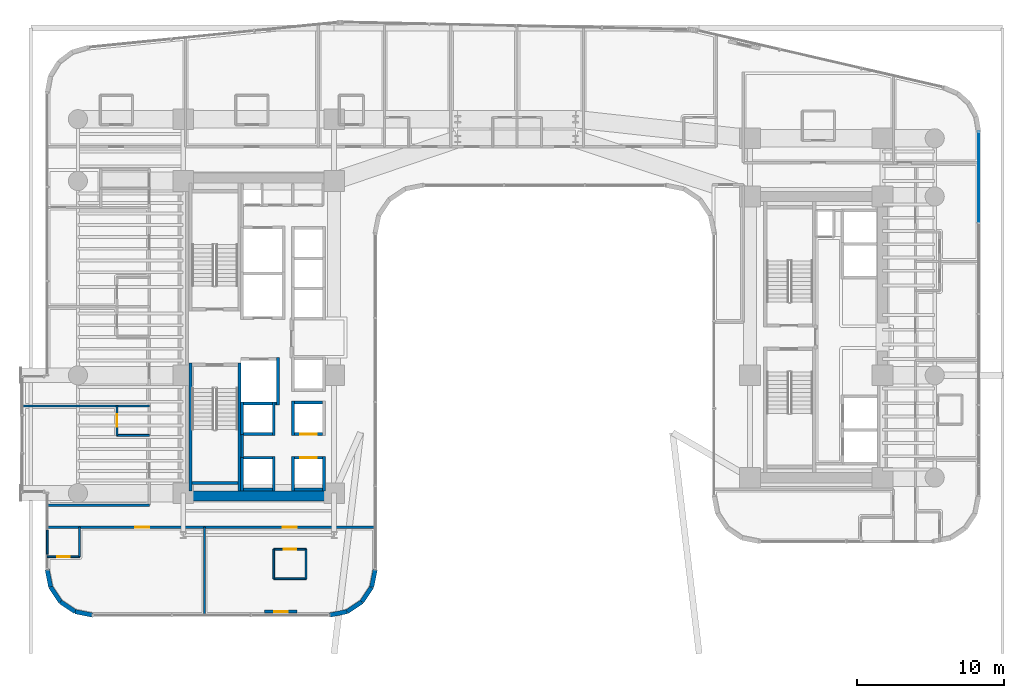
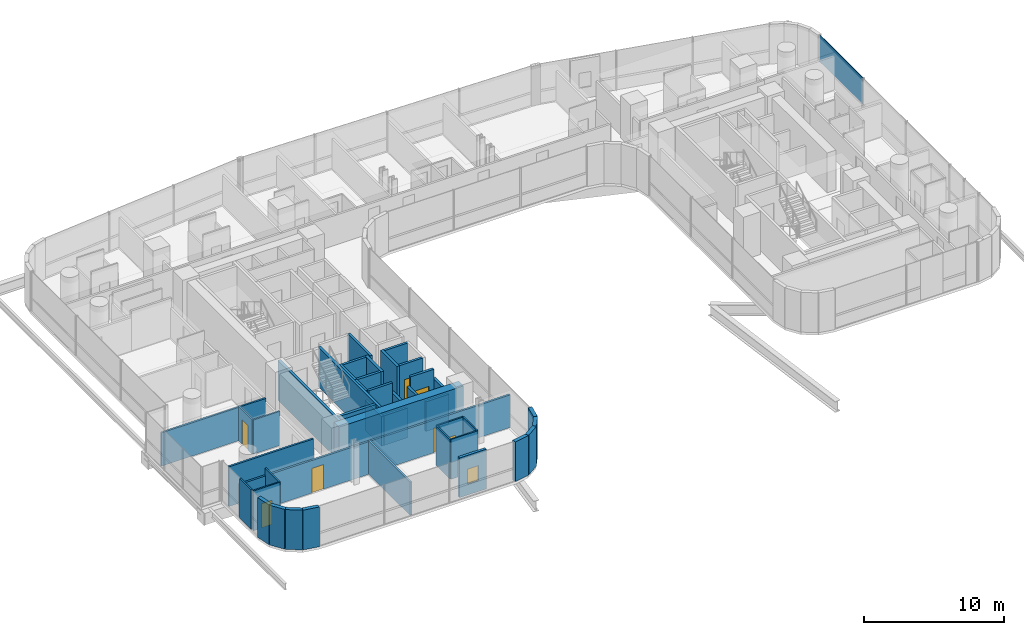
# One storey, part 38 of 50: 43 walls, 7 doors, 1 plate, 1 window, 8 openings, 1 element without a shape of its own.
"""IFC4 building model written with IfcOpenShell, lengths in metres."""

from ifc_helpers import new_model, si_unit, direction, frame, frame_2d, origin, origin_2d, place, context, subcontext, project, spatial, rectangle, extrude, source, transform, mapped, material, layer, layer_set, type_object, element, fill, aggregate, save


model = new_model("IFC4")

# Units and contexts
model_context = context("Model", 3, precision=1e-05, world=origin(), true_north=direction((0.0, 1.0)))
body_context = subcontext(model_context, "Body", "Model", "MODEL_VIEW")
ifc_project = project(units=[si_unit("LENGTHUNIT", "METRE"), si_unit("AREAUNIT", "SQUARE_METRE"), si_unit("VOLUMEUNIT", "CUBIC_METRE"), si_unit("PLANEANGLEUNIT", "RADIAN"), si_unit("MASSUNIT", "GRAM", prefix="KILO")], contexts=[model_context])

# Site, building, storey
site_placement = place(None, origin())
site = spatial("IfcSite", under=ifc_project, at=site_placement, CompositionType="ELEMENT")
building_placement = place(site_placement, origin())
building = spatial("IfcBuilding", under=site, at=building_placement, Name="Valdorenza Pilgrim Sanctuary Tower", CompositionType="ELEMENT")
storey_placement = place(building_placement, frame((0.0, 0.0, 26.0)))
storey = spatial("IfcBuildingStorey", under=building, at=storey_placement, Name="L05", CompositionType="ELEMENT", Elevation=26.0)

# Curtain wall, plate
ifc_material_1 = material(Name="Curtain-wall IGU glazing", Category="glass")
curtain_wall_type = type_object("IfcCurtainWallType", Name="CW-SYS-03", PredefinedType="NOTDEFINED", material=ifc_material_1)
curtain_wall_placement = place(storey_placement, origin())
curtain_wall = element("IfcCurtainWall", 1, at=curtain_wall_placement, inside=storey, type_object=curtain_wall_type, Name="L05 Curtain Wall CW-L05-1-21", PredefinedType="NOTDEFINED")
ifc_material_2 = material(Name="Ceramic-fritted low-E IGU glazing", Category="glass")
ifc_layer_1 = layer(ifc_material_2, 0.035888671875, Name="Ceramic-fritted low-E IGU glazing")
ifc_layer_set_1 = layer_set([ifc_layer_1], Name="Ceramic-fritted low-E IGU glazing")
plate_type = type_object("IfcPlateType", Name="CW-GLZ-IGU", PredefinedType="USERDEFINED", material=ifc_layer_set_1)
shared_shape = source(origin(), body_context, "Body", "SweptSolid", [
    extrude(rectangle(XDim=6.16357421875, YDim=0.050048828125, at=origin_2d()), origin(), (0.0, 0.0, 1.0), 2.320068359375),
])
plate_placement = place(storey_placement, frame((31.389892578125, 10.853271484375, 1.1298828125), z_axis=(0.0, 0.0, 1.0), x_axis=(0.0, -1.0, 0.0)))
plate = element("IfcPlate", 2, at=plate_placement, type_object=plate_type, Name="CW-L05-1-21 Facade Panel 1", ObjectType="GLAZING", PredefinedType="USERDEFINED", context=body_context, shape_type="MappedRepresentation", body=[
    mapped(shared_shape, transform((0.0, 0.0, 0.0), x_axis=(1.0, 0.0, 0.0), y_axis=(0.0, 1.0, 0.0), z_axis=(0.0, 0.0, 1.0), scale=1.0)),
])
aggregate(curtain_wall, [plate])

# Wall
ifc_material_3 = material(Name="Acoustic twin-stud gypsum partition", Category="gypsum")
ifc_layer_2 = layer(ifc_material_3, 0.159912109375, Name="Acoustic twin-stud gypsum partition")
ifc_layer_set_2 = layer_set([ifc_layer_2], Name="Acoustic twin-stud gypsum partition")
wall_type_1 = type_object("IfcWallType", Name="WAL-COR-160", PredefinedType="PARTITIONING", material=ifc_layer_set_2)
wall_1_placement = place(storey_placement, frame((-18.64990234375, -8.179931640625, 0.0), z_axis=(0.0, 0.0, 1.0), x_axis=(0.0, 1.0, 0.0)))
element("IfcWall", 3, at=wall_1_placement, inside=storey, type_object=wall_type_1, Name="L05 Core A South Lift Hall West Wall", PredefinedType="PARTITIONING", context=body_context, shape_type="SweptSolid", body=[
    extrude(rectangle(XDim=1.559814453125, YDim=0.159912109375, at=frame_2d((0.77978515625, 0.0))), origin(), (0.0, 0.0, 1.0), 3.4599609375),
])

# Wall, openings, doors
wall_2_placement = place(storey_placement, frame((-31.889892578125, -12.919921875, 0.0), z_axis=(0.0, 0.0, 1.0), x_axis=(1.0, 0.0, 0.0)))
wall_2 = element("IfcWall", 4, at=wall_2_placement, inside=storey, type_object=wall_type_1, Name="L05 South Wing Corridor Wall", PredefinedType="PARTITIONING", context=body_context, shape_type="SweptSolid", body=[
    extrude(rectangle(XDim=22.27978515625, YDim=0.159912109375, at=frame_2d((11.139892578125, 0.0))), origin(), (0.0, 0.0, 1.0), 2.833984375),
])
opening_1_placement = place(wall_2_placement, frame((5.969970703125, 0.0, 0.0)))
opening_1 = element("IfcOpeningElement", 5, at=opening_1_placement, cuts=wall_2, Name="Opening DR-UN1", PredefinedType="OPENING", context=body_context, shape_type="SweptSolid", body=[
    extrude(rectangle(XDim=0.949951171875, YDim=2.14990234375, at=frame_2d((0.47509765625, 1.074951171875))), frame((0.0, 0.0947265625, 0.0), z_axis=(0.0, -1.0, 0.0), x_axis=(1.0, 0.0, 0.0)), (0.0, 0.0, 1.0), 0.189697265625),
])
opening_2_placement = place(wall_2_placement, frame((16.010009765625, 0.0, 0.0)))
opening_2 = element("IfcOpeningElement", 6, at=opening_2_placement, cuts=wall_2, Name="Opening DR-UN1", PredefinedType="OPENING", context=body_context, shape_type="SweptSolid", body=[
    extrude(rectangle(XDim=0.949951171875, YDim=2.14990234375, at=frame_2d((0.47509765625, 1.074951171875))), frame((0.0, 0.0947265625, 0.0), z_axis=(0.0, -1.0, 0.0), x_axis=(1.0, 0.0, 0.0)), (0.0, 0.0, 1.0), 0.189697265625),
])
ifc_material_4 = material(Name="Solid-core European oak timber", Category="wood")
door_type_1 = type_object("IfcDoorType", Name="DR-UNIT-950", OperationType="NOTDEFINED", PredefinedType="DOOR", material=ifc_material_4)
door_1_placement = place(opening_1_placement, frame((0.949951171875, 0.0, 0.0), z_axis=(0.0, 0.0, 1.0), x_axis=(-1.0, 0.0, 0.0)))
door_1 = element("IfcDoor", 7, at=door_1_placement, inside=storey, type_object=door_type_1, Name="L05 South Guest Room L05-S1 Entrance Door", OperationType="SINGLE_SWING_LEFT", OverallHeight=2.14990234375, OverallWidth=0.949951171875, PredefinedType="DOOR", context=body_context, shape_type="SweptSolid", body=[
    extrude(rectangle(XDim=0.949951171875, YDim=2.14990234375, at=frame_2d((0.47509765625, 1.074951171875))), frame((0.0, 0.02490234375, 0.0), z_axis=(0.0, -1.0, 0.0), x_axis=(1.0, 0.0, 0.0)), (0.0, 0.0, 1.0), 0.050048828125),
])
fill(opening_1, door_1)
door_2_placement = place(opening_2_placement, frame((0.949951171875, 0.0, 0.0), z_axis=(0.0, 0.0, 1.0), x_axis=(-1.0, 0.0, 0.0)))
door_2 = element("IfcDoor", 8, at=door_2_placement, inside=storey, type_object=door_type_1, Name="L05 South Guest Room L05-S2 Entrance Door", OperationType="SINGLE_SWING_LEFT", OverallHeight=2.14990234375, OverallWidth=0.949951171875, PredefinedType="DOOR", context=body_context, shape_type="SweptSolid", body=[
    extrude(rectangle(XDim=0.949951171875, YDim=2.14990234375, at=frame_2d((0.47509765625, 1.074951171875))), frame((0.0, 0.02490234375, 0.0), z_axis=(0.0, -1.0, 0.0), x_axis=(1.0, 0.0, 0.0)), (0.0, 0.0, 1.0), 0.050048828125),
])
fill(opening_2, door_2)

# Walls
wall_3_placement = place(storey_placement, frame((-31.889892578125, -11.419921875, 0.0), z_axis=(0.0, 0.0, 1.0), x_axis=(1.0, 0.0, 0.0)))
element("IfcWall", 9, at=wall_3_placement, inside=storey, type_object=wall_type_1, Name="L05 South-West Corridor North Wall", PredefinedType="PARTITIONING", context=body_context, shape_type="SweptSolid", body=[
    extrude(rectangle(XDim=6.93994140625, YDim=0.159912109375, at=frame_2d((3.469970703125, 0.0))), origin(), (0.0, 0.0, 1.0), 3.4599609375),
])
ifc_material_5 = material(Name="Concrete C60/75", Category="concrete")
ifc_layer_3 = layer(ifc_material_5, 0.699951171875, Name="Concrete C60/75")
ifc_layer_set_3 = layer_set([ifc_layer_3], Name="Concrete C60/75")
wall_type_2 = type_object("IfcWallType", Name="WAL-COR-700", PredefinedType="SHEAR", material=ifc_layer_set_3)
wall_4_placement = place(storey_placement, frame((-22.64990234375, -10.800048828125, 0.0), z_axis=(0.0, 0.0, 1.0), x_axis=(1.0, 0.0, 0.0)))
element("IfcWall", 10, at=wall_4_placement, inside=storey, type_object=wall_type_2, Name="L05 Split Core A Shear Wall S", PredefinedType="SHEAR", context=body_context, shape_type="SweptSolid", body=[
    extrude(rectangle(XDim=10.25, YDim=0.699951171875, at=frame_2d((5.125, 0.0))), origin(), (0.0, 0.0, 1.0), 3.4599609375),
])
ifc_material_6 = material(Name="Honed travertine limestone", Category="masonry")
ifc_layer_4 = layer(ifc_material_6, 0.300048828125, Name="Honed travertine limestone")
ifc_layer_set_4 = layer_set([ifc_layer_4], Name="Honed travertine limestone")
wall_type_3 = type_object("IfcWallType", Name="WAL-EXT-300", PredefinedType="SOLIDWALL", material=ifc_layer_set_4)
wall_5_placement = place(storey_placement, frame((-9.610107421875, -15.789306640625, 0.0), z_axis=(0.0, 0.0, 1.0), x_axis=(-0.194996050505, -0.980804027463, 0.0)))
element("IfcWall", 11, at=wall_5_placement, inside=storey, type_object=wall_type_3, Name="L05 Rounded Wind-Corner Stone Pier 42", PredefinedType="SOLIDWALL", context=body_context, shape_type="SweptSolid", body=[
    extrude(rectangle(XDim=1.2158203125, YDim=0.300048828125, at=frame_2d((0.60791015625, 0.0))), origin(), (0.0, 0.0, 1.0), 3.4599609375),
])
for number, where, z_axis, x_axis, name in (
    (12, (-9.84716796875, -16.981689453125, 0.0), (0.0, 0.0, 1.0), (-0.555635100982, -0.831426265255, 0.0), "L05 Rounded Wind-Corner Stone Pier 43"),
    (13, (-10.5166015625, -17.9833984375, 0.0), (0.0, 0.0, 1.0), (-0.831426265255, -0.555635100982, 0.0), "L05 Rounded Wind-Corner Stone Pier 44"),
):
    element("IfcWall", number, at=place(storey_placement, frame(where, z_axis=z_axis, x_axis=x_axis)), inside=storey, type_object=wall_type_3, Name=name, PredefinedType="SOLIDWALL", context=body_context, shape_type="SweptSolid", body=[
        extrude(rectangle(XDim=1.204833984375, YDim=0.300048828125, at=frame_2d((0.6025390625, 0.0))), origin(), (0.0, 0.0, 1.0), 3.4599609375),
    ])
wall_6_placement = place(storey_placement, frame((-11.518310546875, -18.65283203125, 0.0), z_axis=(0.0, 0.0, 1.0), x_axis=(-0.980804027463, -0.194996050505, 0.0)))
element("IfcWall", 14, at=wall_6_placement, inside=storey, type_object=wall_type_3, Name="L05 Rounded Wind-Corner Stone Pier 45", PredefinedType="SOLIDWALL", context=body_context, shape_type="SweptSolid", body=[
    extrude(rectangle(XDim=1.2158203125, YDim=0.300048828125, at=frame_2d((0.60791015625, 0.0))), origin(), (0.0, 0.0, 1.0), 3.4599609375),
])

# Wall, opening, window
wall_7_placement = place(storey_placement, frame((-14.910888671875, -18.64990234375, 0.0), z_axis=(0.0, 0.0, 1.0), x_axis=(-1.0, 0.0, 0.0)))
wall_7 = element("IfcWall", 15, at=wall_7_placement, inside=storey, type_object=wall_type_3, Name="L05 Operable Ventilation Sash Jamb Pier", PredefinedType="SOLIDWALL", context=body_context, shape_type="SweptSolid", body=[
    extrude(rectangle(XDim=2.199951171875, YDim=0.219970703125, at=frame_2d((1.10009765625, 0.0))), origin(), (0.0, 0.0, 1.0), 3.4599609375),
])
opening_3_placement = place(wall_7_placement, frame((0.64990234375, 0.0, 0.949951171875)))
opening_3 = element("IfcOpeningElement", 16, at=opening_3_placement, cuts=wall_7, Name="Opening WN-OP1", PredefinedType="OPENING", context=body_context, shape_type="SweptSolid", body=[
    extrude(rectangle(XDim=0.89990234375, YDim=1.300048828125, at=frame_2d((0.449951171875, 0.64990234375))), frame((0.0, 0.125, 0.0), z_axis=(0.0, -1.0, 0.0), x_axis=(1.0, 0.0, 0.0)), (0.0, 0.0, 1.0), 0.249755859375),
])
window_type = type_object("IfcWindowType", Name="WIN-OPN-900", PartitioningType="SINGLE_PANEL", PredefinedType="WINDOW", material=ifc_material_2)
window_placement = place(opening_3_placement, origin())
window = element("IfcWindow", 17, at=window_placement, inside=storey, type_object=window_type, Name="L05 Parallel-Pop-Out Operable Facade Panel", OverallHeight=1.300048828125, OverallWidth=0.89990234375, PartitioningType="SINGLE_PANEL", PredefinedType="WINDOW", context=body_context, shape_type="SweptSolid", body=[
    extrude(rectangle(XDim=0.89990234375, YDim=1.300048828125, at=frame_2d((0.449951171875, 0.64990234375))), frame((0.0, 0.030029296875, 0.0), z_axis=(0.0, -1.0, 0.0), x_axis=(1.0, 0.0, 0.0)), (0.0, 0.0, 1.0), 0.06005859375),
])
fill(opening_3, window)

# Walls
wall_8_placement = place(storey_placement, frame((-28.789306640625, -18.889892578125, 0.0), z_axis=(0.0, 0.0, 1.0), x_axis=(-0.980804027463, 0.194996050505, 0.0)))
element("IfcWall", 18, at=wall_8_placement, inside=storey, type_object=wall_type_3, Name="L05 Rounded Wind-Corner Stone Pier 47", PredefinedType="SOLIDWALL", context=body_context, shape_type="SweptSolid", body=[
    extrude(rectangle(XDim=1.2158203125, YDim=0.300048828125, at=frame_2d((0.60791015625, 0.0))), origin(), (0.0, 0.0, 1.0), 3.4599609375),
])
for number, where, z_axis, x_axis, name in (
    (19, (-29.981689453125, -18.65283203125, 0.0), (0.0, 0.0, 1.0), (-0.831426265255, 0.555635100982, 0.0), "L05 Rounded Wind-Corner Stone Pier 48"),
    (20, (-30.9833984375, -17.9833984375, 0.0), (0.0, 0.0, 1.0), (-0.555635100982, 0.831426265255, 0.0), "L05 Rounded Wind-Corner Stone Pier 49"),
):
    element("IfcWall", number, at=place(storey_placement, frame(where, z_axis=z_axis, x_axis=x_axis)), inside=storey, type_object=wall_type_3, Name=name, PredefinedType="SOLIDWALL", context=body_context, shape_type="SweptSolid", body=[
        extrude(rectangle(XDim=1.204833984375, YDim=0.300048828125, at=frame_2d((0.6025390625, 0.0))), origin(), (0.0, 0.0, 1.0), 3.4599609375),
    ])
wall_9_placement = place(storey_placement, frame((-31.65283203125, -16.981689453125, 0.0), z_axis=(0.0, 0.0, 1.0), x_axis=(-0.194996050505, 0.980804027463, 0.0)))
element("IfcWall", 21, at=wall_9_placement, inside=storey, type_object=wall_type_3, Name="L05 Rounded Wind-Corner Stone Pier 50", PredefinedType="SOLIDWALL", context=body_context, shape_type="SweptSolid", body=[
    extrude(rectangle(XDim=1.2158203125, YDim=0.300048828125, at=frame_2d((0.60791015625, 0.0))), origin(), (0.0, 0.0, 1.0), 3.4599609375),
])
ifc_material_7 = material(Name="Moisture-resistant gypsum partition", Category="gypsum")
ifc_layer_5 = layer(ifc_material_7, 0.1201171875, Name="Moisture-resistant gypsum partition")
ifc_layer_set_5 = layer_set([ifc_layer_5], Name="Moisture-resistant gypsum partition")
wall_type_4 = type_object("IfcWallType", Name="WAL-INT-120", PredefinedType="PARTITIONING", material=ifc_layer_set_5)
wall_10_placement = place(storey_placement, frame((-27.14990234375, -6.679931640625, 0.0), z_axis=(0.0, 0.0, 1.0), x_axis=(1.0, 0.0, 0.0)))
element("IfcWall", 22, at=wall_10_placement, inside=storey, type_object=wall_type_4, Name="L05 Pilgrim Guest Room L05-W1 En-suite South Wall", PredefinedType="PARTITIONING", context=body_context, shape_type="SweptSolid", body=[
    extrude(rectangle(XDim=2.199951171875, YDim=0.1201171875, at=frame_2d((1.10009765625, 0.0))), origin(), (0.0, 0.0, 1.0), 2.97900390625),
])

# Wall, opening, door
wall_11_placement = place(storey_placement, frame((-27.14990234375, -6.679931640625, 0.0), z_axis=(0.0, 0.0, 1.0), x_axis=(0.0, 1.0, 0.0)))
wall_11 = element("IfcWall", 23, at=wall_11_placement, inside=storey, type_object=wall_type_4, Name="L05 Pilgrim Guest Room L05-W1 En-suite Door Wall", PredefinedType="PARTITIONING", context=body_context, shape_type="SweptSolid", body=[
    extrude(rectangle(XDim=2.0, YDim=0.1201171875, at=frame_2d((1.0, 0.0))), origin(), (0.0, 0.0, 1.0), 2.97900390625),
])
opening_4_placement = place(wall_11_placement, frame((0.574951171875, 0.0, 0.0)))
opening_4 = element("IfcOpeningElement", 24, at=opening_4_placement, cuts=wall_11, Name="Opening DR-WC1", PredefinedType="OPENING", context=body_context, shape_type="SweptSolid", body=[
    extrude(rectangle(XDim=0.85009765625, YDim=2.10009765625, at=frame_2d((0.425048828125, 1.050048828125))), frame((0.0, 0.074951171875, 0.0), z_axis=(0.0, -1.0, 0.0), x_axis=(1.0, 0.0, 0.0)), (0.0, 0.0, 1.0), 0.14990234375),
])
ifc_material_8 = material(Name="Moisture-resistant lacquered timber", Category="wood")
door_type_2 = type_object("IfcDoorType", Name="DR-BATH-850", OperationType="NOTDEFINED", PredefinedType="DOOR", material=ifc_material_8)
door_3_placement = place(opening_4_placement, origin())
door_3 = element("IfcDoor", 25, at=door_3_placement, inside=storey, type_object=door_type_2, Name="L05 Pilgrim Guest Room L05-W1 En-suite Bathroom Door", OperationType="SINGLE_SWING_RIGHT", OverallHeight=2.10009765625, OverallWidth=0.85009765625, PredefinedType="DOOR", context=body_context, shape_type="SweptSolid", body=[
    extrude(rectangle(XDim=0.85009765625, YDim=2.10009765625, at=frame_2d((0.425048828125, 1.050048828125))), frame((0.0, 0.02490234375, 0.0), z_axis=(0.0, -1.0, 0.0), x_axis=(1.0, 0.0, 0.0)), (0.0, 0.0, 1.0), 0.050048828125),
])
fill(opening_4, door_3)

# Wall
wall_12_placement = place(storey_placement, frame((-29.68994140625, -14.919921875, 0.0), z_axis=(0.0, 0.0, 1.0), x_axis=(0.0, 1.0, 0.0)))
element("IfcWall", 26, at=wall_12_placement, inside=storey, type_object=wall_type_4, Name="L05 South Guest Room L05-S1 En-suite East Wall", PredefinedType="PARTITIONING", context=body_context, shape_type="SweptSolid", body=[
    extrude(rectangle(XDim=2.0, YDim=0.1201171875, at=frame_2d((1.0, 0.0))), origin(), (0.0, 0.0, 1.0), 3.4599609375),
])

# Wall, opening, door
wall_13_placement = place(storey_placement, frame((-31.889892578125, -14.919921875, 0.0), z_axis=(0.0, 0.0, 1.0), x_axis=(1.0, 0.0, 0.0)))
wall_13 = element("IfcWall", 27, at=wall_13_placement, inside=storey, type_object=wall_type_4, Name="L05 South Guest Room L05-S1 En-suite Door Wall", PredefinedType="PARTITIONING", context=body_context, shape_type="SweptSolid", body=[
    extrude(rectangle(XDim=2.199951171875, YDim=0.1201171875, at=frame_2d((1.10009765625, 0.0))), origin(), (0.0, 0.0, 1.0), 3.4599609375),
])
opening_5_placement = place(wall_13_placement, frame((0.675048828125, 0.0, 0.0)))
opening_5 = element("IfcOpeningElement", 28, at=opening_5_placement, cuts=wall_13, Name="Opening DR-WC1", PredefinedType="OPENING", context=body_context, shape_type="SweptSolid", body=[
    extrude(rectangle(XDim=0.85009765625, YDim=2.10009765625, at=frame_2d((0.425048828125, 1.050048828125))), frame((0.0, 0.074951171875, 0.0), z_axis=(0.0, -1.0, 0.0), x_axis=(1.0, 0.0, 0.0)), (0.0, 0.0, 1.0), 0.14990234375),
])
door_4_placement = place(opening_5_placement, origin())
door_4 = element("IfcDoor", 29, at=door_4_placement, inside=storey, type_object=door_type_2, Name="L05 South Guest Room L05-S1 En-suite Bathroom Door", OperationType="SINGLE_SWING_RIGHT", OverallHeight=2.10009765625, OverallWidth=0.85009765625, PredefinedType="DOOR", context=body_context, shape_type="SweptSolid", body=[
    extrude(rectangle(XDim=0.85009765625, YDim=2.10009765625, at=frame_2d((0.425048828125, 1.050048828125))), frame((0.0, 0.02490234375, 0.0), z_axis=(0.0, -1.0, 0.0), x_axis=(1.0, 0.0, 0.0)), (0.0, 0.0, 1.0), 0.050048828125),
])
fill(opening_5, door_4)

# Walls
wall_14_placement = place(storey_placement, frame((-31.889892578125, -14.739990234375, 0.0), z_axis=(0.0, 0.0, 1.0), x_axis=(0.0, 1.0, 0.0)))
element("IfcWall", 30, at=wall_14_placement, inside=storey, type_object=wall_type_4, Name="L05 SW-G1-ENS Enclosure Wall W", PredefinedType="PARTITIONING", context=body_context, shape_type="SweptSolid", body=[
    extrude(rectangle(XDim=1.619873046875, YDim=0.1201171875, at=frame_2d((0.81005859375, 0.0))), origin(), (0.0, 0.0, 1.0), 3.4599609375),
])
for number, where, z_axis, x_axis, name in (
    (31, (-16.5048828125, -16.419921875, 0.0), (0.0, 0.0, 1.0), (0.0, 1.0, 0.0), "L05 South Guest Room L05-S2 En-suite West Wall"),
    (32, (-14.304931640625, -16.419921875, 0.0), (0.0, 0.0, 1.0), (0.0, 1.0, 0.0), "L05 South Guest Room L05-S2 En-suite East Wall"),
):
    element("IfcWall", number, at=place(storey_placement, frame(where, z_axis=z_axis, x_axis=x_axis)), inside=storey, type_object=wall_type_4, Name=name, PredefinedType="PARTITIONING", context=body_context, shape_type="SweptSolid", body=[
        extrude(rectangle(XDim=2.0, YDim=0.1201171875, at=frame_2d((1.0, 0.0))), origin(), (0.0, 0.0, 1.0), 3.4599609375),
    ])
wall_15_placement = place(storey_placement, frame((-16.5048828125, -16.419921875, 0.0), z_axis=(0.0, 0.0, 1.0), x_axis=(1.0, 0.0, 0.0)))
element("IfcWall", 33, at=wall_15_placement, inside=storey, type_object=wall_type_4, Name="L05 South Guest Room L05-S2 En-suite Back Wall", PredefinedType="PARTITIONING", context=body_context, shape_type="SweptSolid", body=[
    extrude(rectangle(XDim=2.199951171875, YDim=0.1201171875, at=frame_2d((1.10009765625, 0.0))), origin(), (0.0, 0.0, 1.0), 3.4599609375),
])

# Wall, opening, door
wall_16_placement = place(storey_placement, frame((-16.5048828125, -14.419921875, 0.0), z_axis=(0.0, 0.0, 1.0), x_axis=(1.0, 0.0, 0.0)))
wall_16 = element("IfcWall", 34, at=wall_16_placement, inside=storey, type_object=wall_type_4, Name="L05 South Guest Room L05-S2 En-suite Door Wall", PredefinedType="PARTITIONING", context=body_context, shape_type="SweptSolid", body=[
    extrude(rectangle(XDim=2.199951171875, YDim=0.1201171875, at=frame_2d((1.10009765625, 0.0))), origin(), (0.0, 0.0, 1.0), 3.4599609375),
])
opening_6_placement = place(wall_16_placement, frame((0.675048828125, 0.0, 0.0)))
opening_6 = element("IfcOpeningElement", 35, at=opening_6_placement, cuts=wall_16, Name="Opening DR-WC1", PredefinedType="OPENING", context=body_context, shape_type="SweptSolid", body=[
    extrude(rectangle(XDim=0.85009765625, YDim=2.10009765625, at=frame_2d((0.425048828125, 1.050048828125))), frame((0.0, 0.074951171875, 0.0), z_axis=(0.0, -1.0, 0.0), x_axis=(1.0, 0.0, 0.0)), (0.0, 0.0, 1.0), 0.14990234375),
])
door_5_placement = place(opening_6_placement, origin())
door_5 = element("IfcDoor", 36, at=door_5_placement, inside=storey, type_object=door_type_2, Name="L05 South Guest Room L05-S2 En-suite Bathroom Door", OperationType="SINGLE_SWING_RIGHT", OverallHeight=2.10009765625, OverallWidth=0.85009765625, PredefinedType="DOOR", context=body_context, shape_type="SweptSolid", body=[
    extrude(rectangle(XDim=0.85009765625, YDim=2.10009765625, at=frame_2d((0.425048828125, 1.050048828125))), frame((0.0, 0.02490234375, 0.0), z_axis=(0.0, -1.0, 0.0), x_axis=(1.0, 0.0, 0.0)), (0.0, 0.0, 1.0), 0.050048828125),
])
fill(opening_6, door_5)

# Walls
ifc_material_9 = material(Name="Autoclaved aerated concrete blockwork", Category="masonry")
ifc_layer_6 = layer(ifc_material_9, 0.199951171875, Name="Autoclaved aerated concrete blockwork")
ifc_layer_set_6 = layer_set([ifc_layer_6], Name="Autoclaved aerated concrete blockwork")
wall_type_5 = type_object("IfcWallType", Name="WAL-SHF-200", PredefinedType="MOVABLE", material=ifc_layer_set_6)
wall_17_placement = place(storey_placement, frame((-16.199951171875, -4.60009765625, 0.0), z_axis=(0.0, 0.0, 1.0), x_axis=(0.0, 1.0, 0.0)))
element("IfcWall", 37, at=wall_17_placement, inside=storey, type_object=wall_type_5, Name="L05 Lift FFL-02 Hoistway Wall East", PredefinedType="MOVABLE", context=body_context, shape_type="SweptSolid", body=[
    extrude(rectangle(XDim=3.2001953125, YDim=0.199951171875, at=frame_2d((1.60009765625, 0.0))), origin(), (0.0, 0.0, 1.0), 3.4599609375),
])
wall_18_placement = place(storey_placement, frame((-18.719970703125, -4.5, 0.0), z_axis=(0.0, 0.0, 1.0), x_axis=(1.0, 0.0, 0.0)))
element("IfcWall", 38, at=wall_18_placement, inside=storey, type_object=wall_type_5, Name="L05 Lift FFL-02 Hoistway Wall South", PredefinedType="MOVABLE", context=body_context, shape_type="SweptSolid", body=[
    extrude(rectangle(XDim=2.419921875, YDim=0.199951171875, at=frame_2d((1.2099609375, 0.0))), origin(), (0.0, 0.0, 1.0), 3.4599609375),
])
for number, where, z_axis, x_axis, name in (
    (39, (-15.199951171875, -10.449951171875, 0.0), (0.0, 0.0, 1.0), (0.0, 1.0, 0.0), "L05 Lift PL-01 Hoistway Wall West"),
    (40, (-13.080078125, -10.449951171875, 0.0), (0.0, 0.0, 1.0), (0.0, 1.0, 0.0), "L05 Lift PL-01 Hoistway Wall East"),
):
    element("IfcWall", number, at=place(storey_placement, frame(where, z_axis=z_axis, x_axis=x_axis)), inside=storey, type_object=wall_type_5, Name=name, PredefinedType="MOVABLE", context=body_context, shape_type="SweptSolid", body=[
        extrude(rectangle(XDim=2.349853515625, YDim=0.199951171875, at=frame_2d((1.1748046875, 0.0))), origin(), (0.0, 0.0, 1.0), 2.5830078125),
    ])
wall_19_placement = place(storey_placement, frame((-15.10009765625, -10.35009765625, 0.0), z_axis=(0.0, 0.0, 1.0), x_axis=(1.0, 0.0, 0.0)))
element("IfcWall", 41, at=wall_19_placement, inside=storey, type_object=wall_type_5, Name="L05 Lift PL-01 Hoistway Wall South", PredefinedType="MOVABLE", context=body_context, shape_type="SweptSolid", body=[
    extrude(rectangle(XDim=1.920166015625, YDim=0.199951171875, at=frame_2d((0.9599609375, 0.0))), origin(), (0.0, 0.0, 1.0), 2.5830078125),
])

# Wall, opening, door
wall_20_placement = place(storey_placement, frame((-15.10009765625, -8.199951171875, 0.0), z_axis=(0.0, 0.0, 1.0), x_axis=(1.0, 0.0, 0.0)))
wall_20 = element("IfcWall", 42, at=wall_20_placement, inside=storey, type_object=wall_type_5, Name="L05 Lift PL-01 Hoistway Wall North", PredefinedType="MOVABLE", context=body_context, shape_type="SweptSolid", body=[
    extrude(rectangle(XDim=1.920166015625, YDim=0.199951171875, at=frame_2d((0.9599609375, 0.0))), origin(), (0.0, 0.0, 1.0), 3.4599609375),
])
opening_7_placement = place(wall_20_placement, frame((0.409912109375, 0.0, 0.0)))
opening_7 = element("IfcOpeningElement", 43, at=opening_7_placement, cuts=wall_20, Name="Opening LD-01", PredefinedType="OPENING", context=body_context, shape_type="SweptSolid", body=[
    extrude(rectangle(XDim=1.10009765625, YDim=2.10009765625, at=frame_2d((0.550048828125, 1.050048828125))), frame((0.0, 0.11474609375, 0.0), z_axis=(0.0, -1.0, 0.0), x_axis=(1.0, 0.0, 0.0)), (0.0, 0.0, 1.0), 0.229736328125),
])
ifc_material_10 = material(Name="Brushed stainless steel Grade 316", Category="steel")
door_type_3 = type_object("IfcDoorType", Name="DR-LFT-1100", OperationType="DOUBLE_DOOR_SLIDING", PredefinedType="DOOR", material=ifc_material_10)
door_6_placement = place(opening_7_placement, origin())
door_6 = element("IfcDoor", 44, at=door_6_placement, inside=storey, type_object=door_type_3, Name="L05 Lift PL-01 Sliding Landing Door", OperationType="DOUBLE_DOOR_SLIDING", OverallHeight=2.10009765625, OverallWidth=1.10009765625, PredefinedType="DOOR", context=body_context, shape_type="SweptSolid", body=[
    extrude(rectangle(XDim=1.10009765625, YDim=2.10009765625, at=frame_2d((0.550048828125, 1.050048828125))), frame((0.0, 0.02490234375, 0.0), z_axis=(0.0, -1.0, 0.0), x_axis=(1.0, 0.0, 0.0)), (0.0, 0.0, 1.0), 0.050048828125),
])
fill(opening_7, door_6)

# Wall
wall_21_placement = place(storey_placement, frame((-15.199951171875, -6.699951171875, 0.0), z_axis=(0.0, 0.0, 1.0), x_axis=(0.0, 1.0, 0.0)))
element("IfcWall", 45, at=wall_21_placement, inside=storey, type_object=wall_type_5, Name="L05 Lift PL-02 Hoistway Wall West", PredefinedType="MOVABLE", context=body_context, shape_type="SweptSolid", body=[
    extrude(rectangle(XDim=2.349853515625, YDim=0.199951171875, at=frame_2d((1.1748046875, 0.0))), origin(), (0.0, 0.0, 1.0), 3.4599609375),
])

# Wall, opening, door
wall_22_placement = place(storey_placement, frame((-15.10009765625, -6.60009765625, 0.0), z_axis=(0.0, 0.0, 1.0), x_axis=(1.0, 0.0, 0.0)))
wall_22 = element("IfcWall", 46, at=wall_22_placement, inside=storey, type_object=wall_type_5, Name="L05 Lift PL-02 Hoistway Wall South", PredefinedType="MOVABLE", context=body_context, shape_type="SweptSolid", body=[
    extrude(rectangle(XDim=1.920166015625, YDim=0.199951171875, at=frame_2d((0.9599609375, 0.0))), origin(), (0.0, 0.0, 1.0), 3.4599609375),
])
opening_8_placement = place(wall_22_placement, frame((0.409912109375, 0.0, 0.0)))
opening_8 = element("IfcOpeningElement", 47, at=opening_8_placement, cuts=wall_22, Name="Opening LD-01", PredefinedType="OPENING", context=body_context, shape_type="SweptSolid", body=[
    extrude(rectangle(XDim=1.10009765625, YDim=2.10009765625, at=frame_2d((0.550048828125, 1.050048828125))), frame((0.0, 0.11474609375, 0.0), z_axis=(0.0, -1.0, 0.0), x_axis=(1.0, 0.0, 0.0)), (0.0, 0.0, 1.0), 0.229736328125),
])
door_7_placement = place(opening_8_placement, origin())
door_7 = element("IfcDoor", 48, at=door_7_placement, inside=storey, type_object=door_type_3, Name="L05 Lift PL-02 Sliding Landing Door", OperationType="DOUBLE_DOOR_SLIDING", OverallHeight=2.10009765625, OverallWidth=1.10009765625, PredefinedType="DOOR", context=body_context, shape_type="SweptSolid", body=[
    extrude(rectangle(XDim=1.10009765625, YDim=2.10009765625, at=frame_2d((0.550048828125, 1.050048828125))), frame((0.0, 0.02490234375, 0.0), z_axis=(0.0, -1.0, 0.0), x_axis=(1.0, 0.0, 0.0)), (0.0, 0.0, 1.0), 0.050048828125),
])
fill(opening_8, door_7)

# Walls
wall_23_placement = place(storey_placement, frame((-15.10009765625, -4.449951171875, 0.0), z_axis=(0.0, 0.0, 1.0), x_axis=(1.0, 0.0, 0.0)))
element("IfcWall", 49, at=wall_23_placement, inside=storey, type_object=wall_type_5, Name="L05 Lift PL-02 Hoistway Wall North", PredefinedType="MOVABLE", context=body_context, shape_type="SweptSolid", body=[
    extrude(rectangle(XDim=1.920166015625, YDim=0.199951171875, at=frame_2d((0.9599609375, 0.0))), origin(), (0.0, 0.0, 1.0), 3.4599609375),
])
for number, where, z_axis, x_axis, name in (
    (50, (-18.64990234375, -10.449951171875, 0.0), (0.0, 0.0, 1.0), (0.0, 1.0, 0.0), "L05 Lift PL-05 Hoistway Wall West"),
    (51, (-16.5, -10.449951171875, 0.0), (0.0, 0.0, 1.0), (0.0, 1.0, 0.0), "L05 Lift PL-05 Hoistway Wall East"),
):
    element("IfcWall", number, at=place(storey_placement, frame(where, z_axis=z_axis, x_axis=x_axis)), inside=storey, type_object=wall_type_5, Name=name, PredefinedType="MOVABLE", context=body_context, shape_type="SweptSolid", body=[
        extrude(rectangle(XDim=2.349853515625, YDim=0.199951171875, at=frame_2d((1.1748046875, 0.0))), origin(), (0.0, 0.0, 1.0), 2.5830078125),
    ])
wall_24_placement = place(storey_placement, frame((-18.550048828125, -10.35009765625, 0.0), z_axis=(0.0, 0.0, 1.0), x_axis=(1.0, 0.0, 0.0)))
element("IfcWall", 52, at=wall_24_placement, inside=storey, type_object=wall_type_5, Name="L05 Lift PL-05 Hoistway Wall South", PredefinedType="MOVABLE", context=body_context, shape_type="SweptSolid", body=[
    extrude(rectangle(XDim=1.949951171875, YDim=0.199951171875, at=frame_2d((0.97509765625, 0.0))), origin(), (0.0, 0.0, 1.0), 2.5830078125),
])
wall_25_placement = place(storey_placement, frame((-18.550048828125, -8.199951171875, 0.0), z_axis=(0.0, 0.0, 1.0), x_axis=(1.0, 0.0, 0.0)))
element("IfcWall", 53, at=wall_25_placement, inside=storey, type_object=wall_type_5, Name="L05 Lift PL-05 Hoistway Wall North", PredefinedType="MOVABLE", context=body_context, shape_type="SweptSolid", body=[
    extrude(rectangle(XDim=1.949951171875, YDim=0.199951171875, at=frame_2d((0.97509765625, 0.0))), origin(), (0.0, 0.0, 1.0), 3.4599609375),
])
for number, where, z_axis, x_axis, name in (
    (54, (-18.64990234375, -6.699951171875, 0.0), (0.0, 0.0, 1.0), (0.0, 1.0, 0.0), "L05 Lift PL-11 Hoistway Wall West"),
    (55, (-16.5, -6.699951171875, 0.0), (0.0, 0.0, 1.0), (0.0, 1.0, 0.0), "L05 Lift PL-11 Hoistway Wall East"),
):
    element("IfcWall", number, at=place(storey_placement, frame(where, z_axis=z_axis, x_axis=x_axis)), inside=storey, type_object=wall_type_5, Name=name, PredefinedType="MOVABLE", context=body_context, shape_type="SweptSolid", body=[
        extrude(rectangle(XDim=2.300048828125, YDim=0.199951171875, at=frame_2d((1.14990234375, 0.0))), origin(), (0.0, 0.0, 1.0), 3.4599609375),
    ])
wall_26_placement = place(storey_placement, frame((-18.550048828125, -6.60009765625, 0.0), z_axis=(0.0, 0.0, 1.0), x_axis=(1.0, 0.0, 0.0)))
element("IfcWall", 56, at=wall_26_placement, inside=storey, type_object=wall_type_5, Name="L05 Lift PL-11 Hoistway Wall South", PredefinedType="MOVABLE", context=body_context, shape_type="SweptSolid", body=[
    extrude(rectangle(XDim=1.949951171875, YDim=0.199951171875, at=frame_2d((0.97509765625, 0.0))), origin(), (0.0, 0.0, 1.0), 3.4599609375),
])
ifc_material_11 = material(Name="Concrete C40/50", Category="concrete")
ifc_layer_7 = layer(ifc_material_11, 0.219970703125, Name="Concrete C40/50")
ifc_layer_set_7 = layer_set([ifc_layer_7], Name="Concrete C40/50")
wall_type_6 = type_object("IfcWallType", Name="WAL-STR-SHF-220", PredefinedType="SHEAR", material=ifc_layer_set_7)
for number, where, z_axis, x_axis, name in (
    (57, (-22.159912109375, -10.449951171875, 0.0), (0.0, 0.0, 1.0), (0.0, 1.0, 0.0), "L05 ST-A2 Structural Stairwell Wall W"),
    (58, (-18.830078125, -10.449951171875, 0.0), (0.0, 0.0, 1.0), (0.0, 1.0, 0.0), "L05 ST-A2 Structural Stairwell Wall E"),
):
    element("IfcWall", number, at=place(storey_placement, frame(where, z_axis=z_axis, x_axis=x_axis)), inside=storey, type_object=wall_type_6, Name=name, PredefinedType="SHEAR", context=body_context, shape_type="SweptSolid", body=[
        extrude(rectangle(XDim=8.669921875, YDim=0.219970703125, at=frame_2d((4.3349609375, 0.0))), origin(), (0.0, 0.0, 1.0), 3.4599609375),
    ])
wall_27_placement = place(storey_placement, frame((-22.050048828125, -9.909912109375, 0.0), z_axis=(0.0, 0.0, 1.0), x_axis=(1.0, 0.0, 0.0)))
element("IfcWall", 59, at=wall_27_placement, inside=storey, type_object=wall_type_6, Name="L05 ST-A2 Structural Stairwell Wall S", PredefinedType="SHEAR", context=body_context, shape_type="SweptSolid", body=[
    extrude(rectangle(XDim=3.110107421875, YDim=0.219970703125, at=frame_2d((1.55517578125, 0.0))), origin(), (0.0, 0.0, 1.0), 3.4599609375),
])
ifc_layer_8 = layer(ifc_material_3, 0.14990234375, Name="Acoustic twin-stud gypsum partition")
ifc_layer_set_8 = layer_set([ifc_layer_8], Name="Acoustic twin-stud gypsum partition")
wall_type_7 = type_object("IfcWallType", Name="WAL-UNT-150", PredefinedType="PARTITIONING", material=ifc_layer_set_8)
wall_28_placement = place(storey_placement, frame((-33.5400390625, -4.679931640625, 0.0), z_axis=(0.0, 0.0, 1.0), x_axis=(1.0, 0.0, 0.0)))
element("IfcWall", 60, at=wall_28_placement, inside=storey, type_object=wall_type_7, Name="L05 West Demising 1", PredefinedType="PARTITIONING", context=body_context, shape_type="SweptSolid", body=[
    extrude(rectangle(XDim=8.590087890625, YDim=0.14990234375, at=frame_2d((4.294921875, 0.0))), origin(), (0.0, 0.0, 1.0), 2.89599609375),
])
wall_29_placement = place(storey_placement, frame((-21.199951171875, -18.889892578125, 0.0), z_axis=(0.0, 0.0, 1.0), x_axis=(0.0, 1.0, 0.0)))
element("IfcWall", 61, at=wall_29_placement, inside=storey, type_object=wall_type_7, Name="L05 South Demising 1", PredefinedType="PARTITIONING", context=body_context, shape_type="SweptSolid", body=[
    extrude(rectangle(XDim=5.969970703125, YDim=0.14990234375, at=frame_2d((2.98486328125, 0.0))), origin(), (0.0, 0.0, 1.0), 2.89599609375),
])

save(model, "model.ifc")
